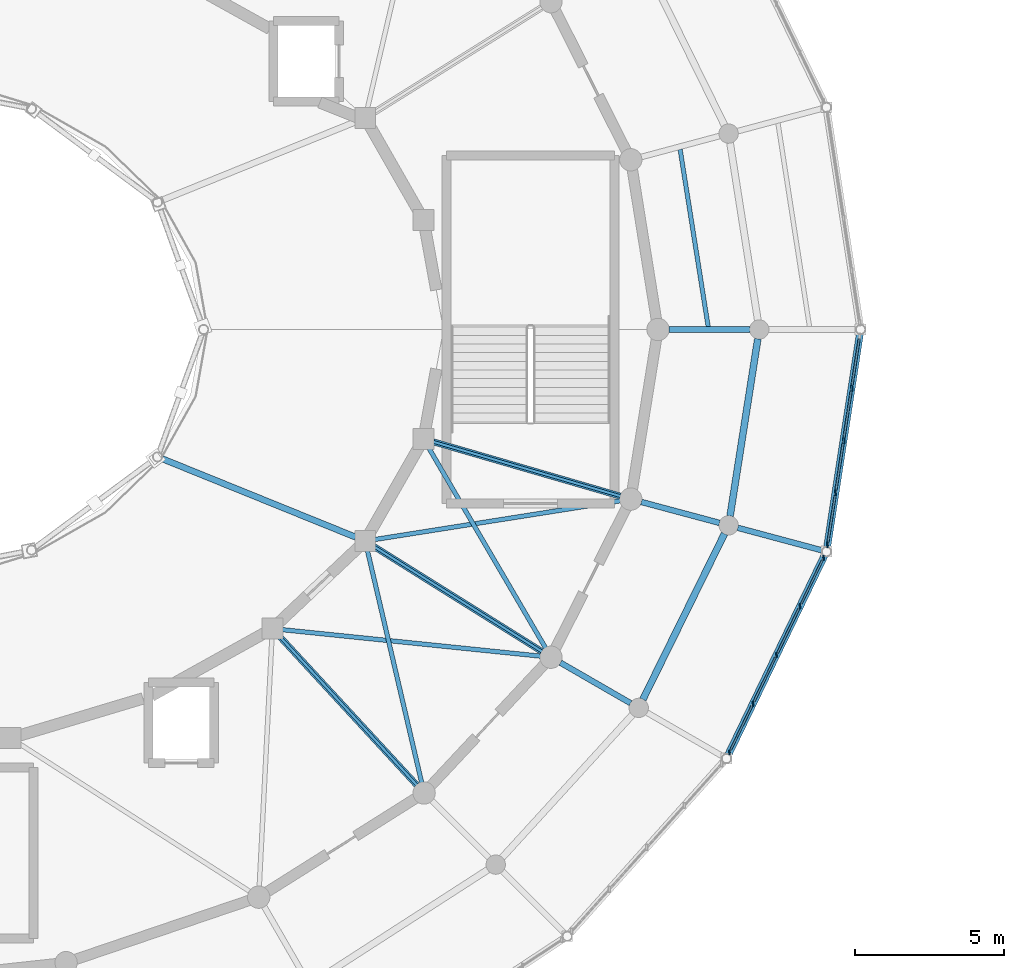
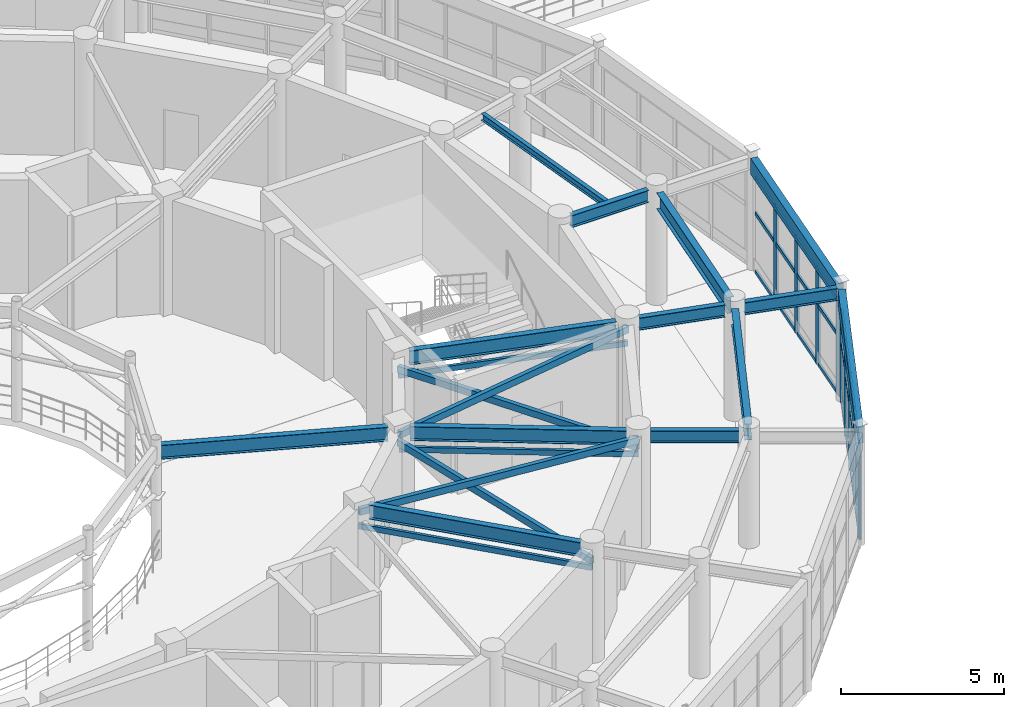
# One storey, part 27 of 60: 40 members, 13 beams, 2 elements without a shape of their own.
"""IFC4 building model written with IfcOpenShell, lengths in metres."""

from ifc_helpers import new_model, si_unit, direction, frame, origin, origin_2d, place, context, subcontext, project, spatial, rectangle, hollow_rectangle, i_section, extrude, material, material_profile, profile_set, type_object, element, aggregate, save


model = new_model("IFC4")

# Units and contexts
model_context = context("Model", 3, precision=1e-05, world=origin(), true_north=direction((0.0, 1.0)))
body_context = subcontext(model_context, "Body", "Model", "MODEL_VIEW")
ifc_project = project(units=[si_unit("LENGTHUNIT", "METRE"), si_unit("AREAUNIT", "SQUARE_METRE"), si_unit("VOLUMEUNIT", "CUBIC_METRE"), si_unit("PLANEANGLEUNIT", "RADIAN"), si_unit("MASSUNIT", "GRAM", prefix="KILO")], contexts=[model_context])

# Site, building, storey
site_placement = place(None, origin())
site = spatial("IfcSite", under=ifc_project, at=site_placement, CompositionType="ELEMENT")
building_placement = place(site_placement, origin())
building = spatial("IfcBuilding", under=site, at=building_placement, Name="Cinderbank Siding Concert Hall", CompositionType="ELEMENT")
storey_placement = place(building_placement, frame((0.0, 0.0, 14.699951171875)))
storey = spatial("IfcBuildingStorey", under=building, at=storey_placement, Name="L04", CompositionType="ELEMENT", Elevation=14.699951171875)

# Beams
ifc_material_1 = material(Name="Structural steel AS/NZS 3679.1 Grade 350 (340 MPa)", Category="steel")
ifc_material_profile_1 = material_profile(ifc_material_1, i_section(OverallWidth=0.19091796875, OverallDepth=0.46044921875, WebThickness=0.010009765625, FlangeThickness=0.01611328125, at=origin_2d()), Name="460UB82.1", Category="LoadBearing")
ifc_profile_set_1 = profile_set([ifc_material_profile_1], Name="Structural steel AS/NZS 3679.1 Grade 350 (340 MPa)")
beam_type_1 = type_object("IfcBeamType", Name="BM-UB460H 460UB82.1", PredefinedType="BEAM", material=ifc_profile_set_1)
beam_1_placement = place(storey_placement, frame((149.1669921875, 44.0, 4.03173828125), z_axis=(1.0, 0.0, 0.0), x_axis=(0.0, 1.0, 0.0)))
element("IfcBeam", 1, at=beam_1_placement, inside=storey, type_object=beam_type_1, Name="L04 Beam BM-UB460H #711", PredefinedType="BEAM", context=body_context, shape_type="SweptSolid", body=[
    extrude(i_section(OverallWidth=0.19091796875, OverallDepth=0.46044921875, WebThickness=0.010009765625, FlangeThickness=0.01611328125, at=origin_2d()), origin(), (0.0, 0.0, 1.0), 2.716064453125),
])
beam_2_placement = place(storey_placement, frame((145.52734375, 32.81640625, 4.03173828125), z_axis=(0.866032896488, -0.499987022033, 0.0), x_axis=(0.499987022033, 0.866032896488, 0.0)))
element("IfcBeam", 2, at=beam_2_placement, inside=storey, type_object=beam_type_1, Name="L04 Beam BM-UB460H #732", PredefinedType="BEAM", context=body_context, shape_type="SweptSolid", body=[
    extrude(i_section(OverallWidth=0.19091796875, OverallDepth=0.46044921875, WebThickness=0.010009765625, FlangeThickness=0.01611328125, at=origin_2d()), origin(), (0.0, 0.0, 1.0), 2.7158203125),
])
beam_3_placement = place(storey_placement, frame((148.2412109375, 38.2109375, 4.03173828125), z_axis=(0.965934410535, -0.258787006135, 0.0), x_axis=(0.258787006135, 0.965934410535, 0.0)))
element("IfcBeam", 3, at=beam_3_placement, inside=storey, type_object=beam_type_1, Name="L04 Beam BM-UB460H #733", PredefinedType="BEAM", context=body_context, shape_type="SweptSolid", body=[
    extrude(i_section(OverallWidth=0.19091796875, OverallDepth=0.46044921875, WebThickness=0.010009765625, FlangeThickness=0.01611328125, at=origin_2d()), origin(), (0.0, 0.0, 1.0), 2.716064453125),
])
beam_4_placement = place(storey_placement, frame((151.477294921875, 37.343994140625, 4.001953125), z_axis=(0.965904885504, -0.258897184534, 0.0), x_axis=(0.258897184534, 0.965904885504, 0.0)))
element("IfcBeam", 4, at=beam_4_placement, inside=storey, type_object=beam_type_1, Name="L04 Beam BM-UB460H #758", PredefinedType="BEAM", context=body_context, shape_type="SweptSolid", body=[
    extrude(i_section(OverallWidth=0.19091796875, OverallDepth=0.46044921875, WebThickness=0.010009765625, FlangeThickness=0.01611328125, at=origin_2d()), origin(), (0.0, 0.0, 1.0), 2.928955078125),
])
ifc_material_profile_2 = material_profile(ifc_material_1, i_section(OverallWidth=0.208984375, OverallDepth=0.5283203125, WebThickness=0.009521484375, FlangeThickness=0.01318359375, at=origin_2d()), Name="530UB82.0", Category="LoadBearing")
ifc_profile_set_2 = profile_set([ifc_material_profile_2], Name="Structural steel AS/NZS 3679.1 Grade 350 (340 MPa)")
beam_type_2 = type_object("IfcBeamType", Name="BM-UB530 530UB82.0", PredefinedType="BEAM", material=ifc_profile_set_2)
beam_5_placement = place(storey_placement, frame((132.145263671875, 39.667236328125, 3.988037109375), z_axis=(0.926787327391, -0.375586541008, 0.0), x_axis=(0.375586541008, 0.926787327391, 0.0)))
element("IfcBeam", 5, at=beam_5_placement, inside=storey, type_object=beam_type_2, Name="L04 Beam BM-UB530 #207", PredefinedType="BEAM", context=body_context, shape_type="SweptSolid", body=[
    extrude(i_section(OverallWidth=0.208984375, OverallDepth=0.5283203125, WebThickness=0.009521484375, FlangeThickness=0.01318359375, at=origin_2d()), origin(), (0.0, 0.0, 1.0), 7.026123046875),
])
ifc_material_profile_3 = material_profile(ifc_material_1, i_section(OverallWidth=0.208984375, OverallDepth=0.532958984375, WebThickness=0.01025390625, FlangeThickness=0.015625, at=origin_2d()), Name="530UB92.4", Category="LoadBearing")
ifc_profile_set_3 = profile_set([ifc_material_profile_3], Name="Structural steel AS/NZS 3679.1 Grade 350 (340 MPa)")
beam_type_3 = type_object("IfcBeamType", Name="BM-UB530H 530UB92.4", PredefinedType="BEAM", material=ifc_profile_set_3)
beam_6_placement = place(storey_placement, frame((136.09130859375, 33.707763671875, 3.985595703125), z_axis=(0.67829203735, -0.734792427879, 0.0), x_axis=(0.734792427879, 0.67829203735, 0.0)))
element("IfcBeam", 6, at=beam_6_placement, inside=storey, type_object=beam_type_3, Name="L04 Beam BM-UB530H #708", PredefinedType="BEAM", context=body_context, shape_type="SweptSolid", body=[
    extrude(i_section(OverallWidth=0.208984375, OverallDepth=0.532958984375, WebThickness=0.01025390625, FlangeThickness=0.015625, at=origin_2d()), origin(), (0.0, 0.0, 1.0), 6.797119140625),
])
beam_7_placement = place(storey_placement, frame((139.26416015625, 36.718505859375, 3.985595703125), z_axis=(0.84781868984, -0.530286214376, 0.0), x_axis=(0.530286214376, 0.84781868984, 0.0)))
element("IfcBeam", 7, at=beam_7_placement, inside=storey, type_object=beam_type_3, Name="L04 Beam BM-UB530H #709", PredefinedType="BEAM", context=body_context, shape_type="SweptSolid", body=[
    extrude(i_section(OverallWidth=0.208984375, OverallDepth=0.532958984375, WebThickness=0.01025390625, FlangeThickness=0.015625, at=origin_2d()), origin(), (0.0, 0.0, 1.0), 6.645263671875),
])
beam_8_placement = place(storey_placement, frame((141.260498046875, 40.2294921875, 3.985595703125), z_axis=(0.960350422934, -0.278795740946, 0.0), x_axis=(0.278795740946, 0.960350422934, 0.0)))
element("IfcBeam", 8, at=beam_8_placement, inside=storey, type_object=beam_type_3, Name="L04 Beam BM-UB530H #710", PredefinedType="BEAM", context=body_context, shape_type="SweptSolid", body=[
    extrude(i_section(OverallWidth=0.208984375, OverallDepth=0.532958984375, WebThickness=0.01025390625, FlangeThickness=0.015625, at=origin_2d()), origin(), (0.0, 0.0, 1.0), 6.53271484375),
])
ifc_material_profile_4 = material_profile(ifc_material_1, i_section(OverallWidth=0.22802734375, OverallDepth=0.60693359375, WebThickness=0.01123046875, FlangeThickness=0.017333984375, at=origin_2d()), Name="610UB113", Category="LoadBearing")
ifc_profile_set_4 = profile_set([ifc_material_profile_4], Name="Structural steel AS/NZS 3679.1 Grade 350 (340 MPa)")
beam_type_4 = type_object("IfcBeamType", Name="BM-UB610M 610UB113", PredefinedType="BEAM", material=ifc_profile_set_4)
beam_9_placement = place(storey_placement, frame((148.294189453125, 31.58447265625, 3.928466796875), z_axis=(0.441813843649, 0.897106753714, 0.0), x_axis=(-0.897106753714, 0.441813843649, 0.0)))
element("IfcBeam", 9, at=beam_9_placement, inside=storey, type_object=beam_type_4, Name="L04 Beam BM-UB610M #674", PredefinedType="BEAM", context=body_context, shape_type="SweptSolid", body=[
    extrude(i_section(OverallWidth=0.22802734375, OverallDepth=0.60693359375, WebThickness=0.01123046875, FlangeThickness=0.017333984375, at=origin_2d()), origin(), (0.0, 0.0, 1.0), 6.194580078125),
])
beam_10_placement = place(storey_placement, frame((151.219970703125, 37.7392578125, 3.928466796875), z_axis=(0.154637914322, 0.987971211855, 0.0), x_axis=(-0.987971211855, 0.154637914322, 0.0)))
element("IfcBeam", 10, at=beam_10_placement, inside=storey, type_object=beam_type_4, Name="L04 Beam BM-UB610M #675", PredefinedType="BEAM", context=body_context, shape_type="SweptSolid", body=[
    extrude(i_section(OverallWidth=0.22802734375, OverallDepth=0.60693359375, WebThickness=0.01123046875, FlangeThickness=0.017333984375, at=origin_2d()), origin(), (0.0, 0.0, 1.0), 6.02001953125),
])

# Curtain wall, members
ifc_material_2 = material(Name="Anodised aluminium alloy 6063-T6", Category="aluminium")
curtain_wall_type_1 = type_object("IfcCurtainWallType", Name="CW-11 Unitised Acoustic Curtain Wall 6600x3500", PredefinedType="NOTDEFINED", material=ifc_material_2)
curtain_wall_1_placement = place(storey_placement, origin())
curtain_wall_1 = element("IfcCurtainWall", 11, at=curtain_wall_1_placement, inside=storey, type_object=curtain_wall_type_1, Name="L04 Curtain Wall CW-11 #70", PredefinedType="NOTDEFINED")
ifc_material_profile_5 = material_profile(ifc_material_2, rectangle(XDim=0.06005859375, YDim=0.159912109375, at=origin_2d()), Name="ALU-MULL-60x160", Category="LoadBearing")
ifc_profile_set_5 = profile_set([ifc_material_profile_5], Name="Anodised aluminium alloy 6063-T6")
member_type_1 = type_object("IfcMemberType", Name="CW-ML1 Mullion 60x160", PredefinedType="MULLION", material=ifc_profile_set_5)
member_1_placement = place(storey_placement, frame((151.197265625, 29.80419921875, 0.0), z_axis=(0.0, 0.0, 1.0), x_axis=(1.0, 0.0, 0.0)))
member_1 = element("IfcMember", 12, at=member_1_placement, type_object=member_type_1, Name="CW-L04-070 Mullion 0", PredefinedType="MULLION", context=body_context, shape_type="SweptSolid", body=[
    extrude(rectangle(XDim=0.06005859375, YDim=0.159912109375, at=origin_2d()), origin(), (0.0, 0.0, 1.0), 3.616943359375),
])
member_2_placement = place(storey_placement, frame((151.987060546875, 31.438720703125, 0.0), z_axis=(0.0, 0.0, 1.0), x_axis=(1.0, 0.0, 0.0)))
member_2 = element("IfcMember", 13, at=member_2_placement, type_object=member_type_1, Name="CW-L04-070 Mullion 1", PredefinedType="MULLION", context=body_context, shape_type="SweptSolid", body=[
    extrude(rectangle(XDim=0.06005859375, YDim=0.159912109375, at=origin_2d()), origin(), (0.0, 0.0, 1.0), 3.616943359375),
])
member_3_placement = place(storey_placement, frame((152.77685546875, 33.072998046875, 0.0), z_axis=(0.0, 0.0, 1.0), x_axis=(1.0, 0.0, 0.0)))
member_3 = element("IfcMember", 14, at=member_3_placement, type_object=member_type_1, Name="CW-L04-070 Mullion 2", PredefinedType="MULLION", context=body_context, shape_type="SweptSolid", body=[
    extrude(rectangle(XDim=0.06005859375, YDim=0.159912109375, at=origin_2d()), origin(), (0.0, 0.0, 1.0), 3.616943359375),
])
member_4_placement = place(storey_placement, frame((153.566650390625, 34.707275390625, 0.0), z_axis=(0.0, 0.0, 1.0), x_axis=(1.0, 0.0, 0.0)))
member_4 = element("IfcMember", 15, at=member_4_placement, type_object=member_type_1, Name="CW-L04-070 Mullion 3", PredefinedType="MULLION", context=body_context, shape_type="SweptSolid", body=[
    extrude(rectangle(XDim=0.06005859375, YDim=0.159912109375, at=origin_2d()), origin(), (0.0, 0.0, 1.0), 3.616943359375),
])
member_5_placement = place(storey_placement, frame((154.3564453125, 36.341796875, 0.0), z_axis=(0.0, 0.0, 1.0), x_axis=(1.0, 0.0, 0.0)))
member_5 = element("IfcMember", 16, at=member_5_placement, type_object=member_type_1, Name="CW-L04-070 Mullion 4", PredefinedType="MULLION", context=body_context, shape_type="SweptSolid", body=[
    extrude(rectangle(XDim=0.06005859375, YDim=0.159912109375, at=origin_2d()), origin(), (0.0, 0.0, 1.0), 3.616943359375),
])

curtain_wall_type_2 = type_object("IfcCurtainWallType", Name="CW-12 Unitised Acoustic Curtain Wall 5800x3500", PredefinedType="NOTDEFINED", material=ifc_material_2)
curtain_wall_2_placement = place(storey_placement, origin())
curtain_wall_2 = element("IfcCurtainWall", 17, at=curtain_wall_2_placement, inside=storey, type_object=curtain_wall_type_2, Name="L04 Curtain Wall CW-12 #71", PredefinedType="NOTDEFINED")
ifc_material_profile_6 = material_profile(ifc_material_2, rectangle(XDim=0.06494140625, YDim=0.199951171875, at=origin_2d()), Name="ALU-MULL-65x200", Category="LoadBearing")
ifc_profile_set_6 = profile_set([ifc_material_profile_6], Name="Anodised aluminium alloy 6063-T6")
member_type_2 = type_object("IfcMemberType", Name="CW-ML2 Mullion 65x200", PredefinedType="MULLION", material=ifc_profile_set_6)
member_6_placement = place(storey_placement, frame((154.489501953125, 36.770263671875, 0.0), z_axis=(0.0, 0.0, 1.0), x_axis=(1.0, 0.0, 0.0)))
member_6 = element("IfcMember", 18, at=member_6_placement, type_object=member_type_2, Name="CW-L04-071 Mullion 0", PredefinedType="MULLION", context=body_context, shape_type="SweptSolid", body=[
    extrude(rectangle(XDim=0.06494140625, YDim=0.199951171875, at=origin_2d()), origin(), (0.0, 0.0, 1.0), 3.616943359375),
])
member_7_placement = place(storey_placement, frame((154.758544921875, 38.521728515625, 0.0), z_axis=(0.0, 0.0, 1.0), x_axis=(1.0, 0.0, 0.0)))
member_7 = element("IfcMember", 19, at=member_7_placement, type_object=member_type_2, Name="CW-L04-071 Mullion 1", PredefinedType="MULLION", context=body_context, shape_type="SweptSolid", body=[
    extrude(rectangle(XDim=0.06494140625, YDim=0.199951171875, at=origin_2d()), origin(), (0.0, 0.0, 1.0), 3.616943359375),
])
member_8_placement = place(storey_placement, frame((155.027587890625, 40.27294921875, 0.0), z_axis=(0.0, 0.0, 1.0), x_axis=(1.0, 0.0, 0.0)))
member_8 = element("IfcMember", 20, at=member_8_placement, type_object=member_type_2, Name="CW-L04-071 Mullion 2", PredefinedType="MULLION", context=body_context, shape_type="SweptSolid", body=[
    extrude(rectangle(XDim=0.06494140625, YDim=0.199951171875, at=origin_2d()), origin(), (0.0, 0.0, 1.0), 3.616943359375),
])
member_9_placement = place(storey_placement, frame((155.29638671875, 42.0244140625, 0.0), z_axis=(0.0, 0.0, 1.0), x_axis=(1.0, 0.0, 0.0)))
member_9 = element("IfcMember", 21, at=member_9_placement, type_object=member_type_2, Name="CW-L04-071 Mullion 3", PredefinedType="MULLION", context=body_context, shape_type="SweptSolid", body=[
    extrude(rectangle(XDim=0.06494140625, YDim=0.199951171875, at=origin_2d()), origin(), (0.0, 0.0, 1.0), 3.616943359375),
])

# Member
ifc_material_profile_7 = material_profile(ifc_material_2, rectangle(XDim=0.06005859375, YDim=0.1201171875, at=origin_2d()), Name="ALU-TRAN-60x120", Category="LoadBearing")
ifc_profile_set_7 = profile_set([ifc_material_profile_7], Name="Anodised aluminium alloy 6063-T6")
member_type_3 = type_object("IfcMemberType", Name="CW-TR1 Transom 60x120", PredefinedType="USERDEFINED", material=ifc_profile_set_7)
member_10_placement = place(storey_placement, frame((151.23681640625, 29.885986328125, 0.06005859375), z_axis=(0.435037415308, 0.900412376238, 0.0), x_axis=(-0.900412376238, 0.435037415308, 0.0)))
member_10 = element("IfcMember", 22, at=member_10_placement, type_object=member_type_3, Name="CW-L04-070 Transom 0-0", ObjectType="TRANSOM", PredefinedType="USERDEFINED", context=body_context, shape_type="SweptSolid", body=[
    extrude(rectangle(XDim=0.06005859375, YDim=0.1201171875, at=origin_2d()), origin(), (0.0, 0.0, 1.0), 1.633544921875),
])

member_11_placement = place(storey_placement, frame((151.23681640625, 29.885986328125, 2.242431640625), z_axis=(0.435037415308, 0.900412376238, 0.0), x_axis=(-0.900412376238, 0.435037415308, 0.0)))
member_11 = element("IfcMember", 23, at=member_11_placement, type_object=member_type_3, Name="CW-L04-070 Transom 0-1", ObjectType="TRANSOM", PredefinedType="USERDEFINED", context=body_context, shape_type="SweptSolid", body=[
    extrude(rectangle(XDim=0.06005859375, YDim=0.1201171875, at=origin_2d()), origin(), (0.0, 0.0, 1.0), 1.633544921875),
])

member_12_placement = place(storey_placement, frame((151.23681640625, 29.885986328125, 3.55712890625), z_axis=(0.435037415308, 0.900412376238, 0.0), x_axis=(-0.900412376238, 0.435037415308, 0.0)))
member_12 = element("IfcMember", 24, at=member_12_placement, type_object=member_type_3, Name="CW-L04-070 Transom 0-2", ObjectType="TRANSOM", PredefinedType="USERDEFINED", context=body_context, shape_type="SweptSolid", body=[
    extrude(rectangle(XDim=0.06005859375, YDim=0.1201171875, at=origin_2d()), origin(), (0.0, 0.0, 1.0), 1.633544921875),
])

member_13_placement = place(storey_placement, frame((152.026611328125, 31.5205078125, 0.06005859375), z_axis=(0.435095962233, 0.900384086737, 0.0), x_axis=(-0.900384086737, 0.435095962233, 0.0)))
member_13 = element("IfcMember", 25, at=member_13_placement, type_object=member_type_3, Name="CW-L04-070 Transom 1-0", ObjectType="TRANSOM", PredefinedType="USERDEFINED", context=body_context, shape_type="SweptSolid", body=[
    extrude(rectangle(XDim=0.06005859375, YDim=0.1201171875, at=origin_2d()), origin(), (0.0, 0.0, 1.0), 1.63330078125),
])

member_14_placement = place(storey_placement, frame((152.026611328125, 31.5205078125, 2.242431640625), z_axis=(0.435095962233, 0.900384086737, 0.0), x_axis=(-0.900384086737, 0.435095962233, 0.0)))
member_14 = element("IfcMember", 26, at=member_14_placement, type_object=member_type_3, Name="CW-L04-070 Transom 1-1", ObjectType="TRANSOM", PredefinedType="USERDEFINED", context=body_context, shape_type="SweptSolid", body=[
    extrude(rectangle(XDim=0.06005859375, YDim=0.1201171875, at=origin_2d()), origin(), (0.0, 0.0, 1.0), 1.63330078125),
])

member_15_placement = place(storey_placement, frame((152.026611328125, 31.5205078125, 3.55712890625), z_axis=(0.435095962233, 0.900384086737, 0.0), x_axis=(-0.900384086737, 0.435095962233, 0.0)))
member_15 = element("IfcMember", 27, at=member_15_placement, type_object=member_type_3, Name="CW-L04-070 Transom 1-2", ObjectType="TRANSOM", PredefinedType="USERDEFINED", context=body_context, shape_type="SweptSolid", body=[
    extrude(rectangle(XDim=0.06005859375, YDim=0.1201171875, at=origin_2d()), origin(), (0.0, 0.0, 1.0), 1.63330078125),
])

member_16_placement = place(storey_placement, frame((152.81640625, 33.15478515625, 0.06005859375), z_axis=(0.435095962233, 0.900384086737, 0.0), x_axis=(-0.900384086737, 0.435095962233, 0.0)))
member_16 = element("IfcMember", 28, at=member_16_placement, type_object=member_type_3, Name="CW-L04-070 Transom 2-0", ObjectType="TRANSOM", PredefinedType="USERDEFINED", context=body_context, shape_type="SweptSolid", body=[
    extrude(rectangle(XDim=0.06005859375, YDim=0.1201171875, at=origin_2d()), origin(), (0.0, 0.0, 1.0), 1.63330078125),
])

member_17_placement = place(storey_placement, frame((152.81640625, 33.15478515625, 2.242431640625), z_axis=(0.435095962233, 0.900384086737, 0.0), x_axis=(-0.900384086737, 0.435095962233, 0.0)))
member_17 = element("IfcMember", 29, at=member_17_placement, type_object=member_type_3, Name="CW-L04-070 Transom 2-1", ObjectType="TRANSOM", PredefinedType="USERDEFINED", context=body_context, shape_type="SweptSolid", body=[
    extrude(rectangle(XDim=0.06005859375, YDim=0.1201171875, at=origin_2d()), origin(), (0.0, 0.0, 1.0), 1.63330078125),
])

member_18_placement = place(storey_placement, frame((152.81640625, 33.15478515625, 3.55712890625), z_axis=(0.435095962233, 0.900384086737, 0.0), x_axis=(-0.900384086737, 0.435095962233, 0.0)))
member_18 = element("IfcMember", 30, at=member_18_placement, type_object=member_type_3, Name="CW-L04-070 Transom 2-2", ObjectType="TRANSOM", PredefinedType="USERDEFINED", context=body_context, shape_type="SweptSolid", body=[
    extrude(rectangle(XDim=0.06005859375, YDim=0.1201171875, at=origin_2d()), origin(), (0.0, 0.0, 1.0), 1.63330078125),
])

member_19_placement = place(storey_placement, frame((153.606201171875, 34.7890625, 0.06005859375), z_axis=(0.435037415308, 0.900412376238, 0.0), x_axis=(-0.900412376238, 0.435037415308, 0.0)))
member_19 = element("IfcMember", 31, at=member_19_placement, type_object=member_type_3, Name="CW-L04-070 Transom 3-0", ObjectType="TRANSOM", PredefinedType="USERDEFINED", context=body_context, shape_type="SweptSolid", body=[
    extrude(rectangle(XDim=0.06005859375, YDim=0.1201171875, at=origin_2d()), origin(), (0.0, 0.0, 1.0), 1.633544921875),
])

member_20_placement = place(storey_placement, frame((153.606201171875, 34.7890625, 2.242431640625), z_axis=(0.435037415308, 0.900412376238, 0.0), x_axis=(-0.900412376238, 0.435037415308, 0.0)))
member_20 = element("IfcMember", 32, at=member_20_placement, type_object=member_type_3, Name="CW-L04-070 Transom 3-1", ObjectType="TRANSOM", PredefinedType="USERDEFINED", context=body_context, shape_type="SweptSolid", body=[
    extrude(rectangle(XDim=0.06005859375, YDim=0.1201171875, at=origin_2d()), origin(), (0.0, 0.0, 1.0), 1.633544921875),
])

member_21_placement = place(storey_placement, frame((153.606201171875, 34.7890625, 3.55712890625), z_axis=(0.435037415308, 0.900412376238, 0.0), x_axis=(-0.900412376238, 0.435037415308, 0.0)))
member_21 = element("IfcMember", 33, at=member_21_placement, type_object=member_type_3, Name="CW-L04-070 Transom 3-2", ObjectType="TRANSOM", PredefinedType="USERDEFINED", context=body_context, shape_type="SweptSolid", body=[
    extrude(rectangle(XDim=0.06005859375, YDim=0.1201171875, at=origin_2d()), origin(), (0.0, 0.0, 1.0), 1.633544921875),
])

aggregate(curtain_wall_1, [member_1, member_2, member_3, member_4, member_5, member_10, member_11, member_12, member_13, member_14, member_15, member_16, member_17, member_18, member_19, member_20, member_21])

ifc_material_profile_8 = material_profile(ifc_material_2, rectangle(XDim=0.06494140625, YDim=0.14990234375, at=origin_2d()), Name="ALU-TRAN-65x150", Category="LoadBearing")
ifc_profile_set_8 = profile_set([ifc_material_profile_8], Name="Anodised aluminium alloy 6063-T6")
member_type_4 = type_object("IfcMemberType", Name="CW-TR2 Transom 65x150", PredefinedType="USERDEFINED", material=ifc_profile_set_8)
member_22_placement = place(storey_placement, frame((154.5029296875, 36.85791015625, 0.06005859375), z_axis=(0.151873110161, 0.988399999196, 0.0), x_axis=(-0.988399999196, 0.151873110161, 0.0)))
member_22 = element("IfcMember", 34, at=member_22_placement, type_object=member_type_4, Name="CW-L04-071 Transom 0-0", ObjectType="TRANSOM", PredefinedType="USERDEFINED", context=body_context, shape_type="SweptSolid", body=[
    extrude(rectangle(XDim=0.06494140625, YDim=0.14990234375, at=origin_2d()), origin(), (0.0, 0.0, 1.0), 1.5947265625),
])

member_23_placement = place(storey_placement, frame((154.5029296875, 36.85791015625, 2.242431640625), z_axis=(0.151873110161, 0.988399999196, 0.0), x_axis=(-0.988399999196, 0.151873110161, 0.0)))
member_23 = element("IfcMember", 35, at=member_23_placement, type_object=member_type_4, Name="CW-L04-071 Transom 0-1", ObjectType="TRANSOM", PredefinedType="USERDEFINED", context=body_context, shape_type="SweptSolid", body=[
    extrude(rectangle(XDim=0.06494140625, YDim=0.14990234375, at=origin_2d()), origin(), (0.0, 0.0, 1.0), 1.5947265625),
])

member_24_placement = place(storey_placement, frame((154.5029296875, 36.85791015625, 3.55712890625), z_axis=(0.151873110161, 0.988399999196, 0.0), x_axis=(-0.988399999196, 0.151873110161, 0.0)))
member_24 = element("IfcMember", 36, at=member_24_placement, type_object=member_type_4, Name="CW-L04-071 Transom 0-2", ObjectType="TRANSOM", PredefinedType="USERDEFINED", context=body_context, shape_type="SweptSolid", body=[
    extrude(rectangle(XDim=0.06494140625, YDim=0.14990234375, at=origin_2d()), origin(), (0.0, 0.0, 1.0), 1.5947265625),
])

member_25_placement = place(storey_placement, frame((154.77197265625, 38.609130859375, 0.06005859375), z_axis=(0.151873110161, 0.988399999196, 0.0), x_axis=(-0.988399999196, 0.151873110161, 0.0)))
member_25 = element("IfcMember", 37, at=member_25_placement, type_object=member_type_4, Name="CW-L04-071 Transom 1-0", ObjectType="TRANSOM", PredefinedType="USERDEFINED", context=body_context, shape_type="SweptSolid", body=[
    extrude(rectangle(XDim=0.06494140625, YDim=0.14990234375, at=origin_2d()), origin(), (0.0, 0.0, 1.0), 1.5947265625),
])

member_26_placement = place(storey_placement, frame((154.77197265625, 38.609130859375, 2.242431640625), z_axis=(0.151873110161, 0.988399999196, 0.0), x_axis=(-0.988399999196, 0.151873110161, 0.0)))
member_26 = element("IfcMember", 38, at=member_26_placement, type_object=member_type_4, Name="CW-L04-071 Transom 1-1", ObjectType="TRANSOM", PredefinedType="USERDEFINED", context=body_context, shape_type="SweptSolid", body=[
    extrude(rectangle(XDim=0.06494140625, YDim=0.14990234375, at=origin_2d()), origin(), (0.0, 0.0, 1.0), 1.5947265625),
])

member_27_placement = place(storey_placement, frame((154.77197265625, 38.609130859375, 3.55712890625), z_axis=(0.151873110161, 0.988399999196, 0.0), x_axis=(-0.988399999196, 0.151873110161, 0.0)))
member_27 = element("IfcMember", 39, at=member_27_placement, type_object=member_type_4, Name="CW-L04-071 Transom 1-2", ObjectType="TRANSOM", PredefinedType="USERDEFINED", context=body_context, shape_type="SweptSolid", body=[
    extrude(rectangle(XDim=0.06494140625, YDim=0.14990234375, at=origin_2d()), origin(), (0.0, 0.0, 1.0), 1.5947265625),
])

member_28_placement = place(storey_placement, frame((155.041015625, 40.360595703125, 0.06005859375), z_axis=(0.151873110161, 0.988399999196, 0.0), x_axis=(-0.988399999196, 0.151873110161, 0.0)))
member_28 = element("IfcMember", 40, at=member_28_placement, type_object=member_type_4, Name="CW-L04-071 Transom 2-0", ObjectType="TRANSOM", PredefinedType="USERDEFINED", context=body_context, shape_type="SweptSolid", body=[
    extrude(rectangle(XDim=0.06494140625, YDim=0.14990234375, at=origin_2d()), origin(), (0.0, 0.0, 1.0), 1.5947265625),
])

member_29_placement = place(storey_placement, frame((155.041015625, 40.360595703125, 2.242431640625), z_axis=(0.151873110161, 0.988399999196, 0.0), x_axis=(-0.988399999196, 0.151873110161, 0.0)))
member_29 = element("IfcMember", 41, at=member_29_placement, type_object=member_type_4, Name="CW-L04-071 Transom 2-1", ObjectType="TRANSOM", PredefinedType="USERDEFINED", context=body_context, shape_type="SweptSolid", body=[
    extrude(rectangle(XDim=0.06494140625, YDim=0.14990234375, at=origin_2d()), origin(), (0.0, 0.0, 1.0), 1.5947265625),
])

member_30_placement = place(storey_placement, frame((155.041015625, 40.360595703125, 3.55712890625), z_axis=(0.151873110161, 0.988399999196, 0.0), x_axis=(-0.988399999196, 0.151873110161, 0.0)))
member_30 = element("IfcMember", 42, at=member_30_placement, type_object=member_type_4, Name="CW-L04-071 Transom 2-2", ObjectType="TRANSOM", PredefinedType="USERDEFINED", context=body_context, shape_type="SweptSolid", body=[
    extrude(rectangle(XDim=0.06494140625, YDim=0.14990234375, at=origin_2d()), origin(), (0.0, 0.0, 1.0), 1.5947265625),
])

member_31_placement = place(storey_placement, frame((155.31005859375, 42.11181640625, 0.06005859375), z_axis=(0.151723538324, 0.988422970149, 0.0), x_axis=(-0.988422970149, 0.151723538324, 0.0)))
member_31 = element("IfcMember", 43, at=member_31_placement, type_object=member_type_4, Name="CW-L04-071 Transom 3-0", ObjectType="TRANSOM", PredefinedType="USERDEFINED", context=body_context, shape_type="SweptSolid", body=[
    extrude(rectangle(XDim=0.06494140625, YDim=0.14990234375, at=origin_2d()), origin(), (0.0, 0.0, 1.0), 1.5947265625),
])

member_32_placement = place(storey_placement, frame((155.31005859375, 42.11181640625, 2.242431640625), z_axis=(0.151723538324, 0.988422970149, 0.0), x_axis=(-0.988422970149, 0.151723538324, 0.0)))
member_32 = element("IfcMember", 44, at=member_32_placement, type_object=member_type_4, Name="CW-L04-071 Transom 3-1", ObjectType="TRANSOM", PredefinedType="USERDEFINED", context=body_context, shape_type="SweptSolid", body=[
    extrude(rectangle(XDim=0.06494140625, YDim=0.14990234375, at=origin_2d()), origin(), (0.0, 0.0, 1.0), 1.5947265625),
])

member_33_placement = place(storey_placement, frame((155.31005859375, 42.11181640625, 3.55712890625), z_axis=(0.151723538324, 0.988422970149, 0.0), x_axis=(-0.988422970149, 0.151723538324, 0.0)))
member_33 = element("IfcMember", 45, at=member_33_placement, type_object=member_type_4, Name="CW-L04-071 Transom 3-2", ObjectType="TRANSOM", PredefinedType="USERDEFINED", context=body_context, shape_type="SweptSolid", body=[
    extrude(rectangle(XDim=0.06494140625, YDim=0.14990234375, at=origin_2d()), origin(), (0.0, 0.0, 1.0), 1.5947265625),
])

aggregate(curtain_wall_2, [member_6, member_7, member_8, member_9, member_22, member_23, member_24, member_25, member_26, member_27, member_28, member_29, member_30, member_31, member_32, member_33])

# Beam
ifc_material_profile_9 = material_profile(ifc_material_1, i_section(OverallWidth=0.146484375, OverallDepth=0.256103515625, WebThickness=0.00634765625, FlangeThickness=0.010986328125, at=origin_2d()), Name="250UB37.3", Category="LoadBearing")
ifc_profile_set_9 = profile_set([ifc_material_profile_9], Name="Structural steel AS/NZS 3679.1 Grade 350 (340 MPa)")
beam_type_5 = type_object("IfcBeamType", Name="JS-UB250H 250UB37.3", PredefinedType="JOIST", material=ifc_profile_set_9)
beam_11_placement = place(storey_placement, frame((150.486083984375, 44.08837890625, 4.134033203125), z_axis=(-0.156365807053, 0.987699212506, 0.0), x_axis=(-0.987699212506, -0.156365807053, 0.0)))
element("IfcBeam", 46, at=beam_11_placement, inside=storey, type_object=beam_type_5, Name="L04 Beam JS-UB250H #713", PredefinedType="JOIST", context=body_context, shape_type="SweptSolid", body=[
    extrude(i_section(OverallWidth=0.146484375, OverallDepth=0.256103515625, WebThickness=0.00634765625, FlangeThickness=0.010986328125, at=origin_2d()), origin(), (0.0, 0.0, 1.0), 6.031494140625),
])

# Members
ifc_material_3 = material(Name="Structural steel hollow section AS/NZS 1163 Grade C350L0 (350 MPa)", Category="steel")
ifc_material_profile_10 = material_profile(ifc_material_3, hollow_rectangle(XDim=0.10009765625, YDim=0.199951171875, WallThickness=0.008056640625, at=origin_2d()), Name="200x100x8.0RHS", Category="LoadBearing")
ifc_profile_set_10 = profile_set([ifc_material_profile_10], Name="Structural steel hollow section AS/NZS 1163 Grade C350L0 (350 MPa)")
member_type_5 = type_object("IfcMemberType", Name="PR-RHS200 200x100x8.0RHS Roof Truss", PredefinedType="PURLIN", material=ifc_profile_set_10)
member_34_placement = place(storey_placement, frame((135.859375, 33.958984375, 3.340087890625), z_axis=(0.678276049894, -0.734807185689, 0.0), x_axis=(0.734807185689, 0.678276049894, 0.0)))
element("IfcMember", 47, at=member_34_placement, inside=storey, type_object=member_type_5, Name="L04 Roof Truss Member PR-RHS200 #2295", PredefinedType="PURLIN", context=body_context, shape_type="SweptSolid", body=[
    extrude(hollow_rectangle(XDim=0.10009765625, YDim=0.199951171875, WallThickness=0.008056640625, at=origin_2d()), origin(), (0.0, 0.0, 1.0), 7.505859375),
])
member_35_placement = place(storey_placement, frame((138.97412109375, 36.89990234375, 3.340087890625), z_axis=(0.847826684568, -0.530273432235, 0.0), x_axis=(0.530273432235, 0.847826684568, 0.0)))
element("IfcMember", 48, at=member_35_placement, inside=storey, type_object=member_type_5, Name="L04 Roof Truss Member PR-RHS200 #2298", PredefinedType="PURLIN", context=body_context, shape_type="SweptSolid", body=[
    extrude(hollow_rectangle(XDim=0.10009765625, YDim=0.199951171875, WallThickness=0.008056640625, at=origin_2d()), origin(), (0.0, 0.0, 1.0), 7.3544921875),
])
member_36_placement = place(storey_placement, frame((140.93212890625, 40.32470703125, 3.340087890625), z_axis=(0.960356417746, -0.278775090161, 0.0), x_axis=(0.278775090161, 0.960356417746, 0.0)))
element("IfcMember", 49, at=member_36_placement, inside=storey, type_object=member_type_5, Name="L04 Roof Truss Member PR-RHS200 #2299", PredefinedType="PURLIN", context=body_context, shape_type="SweptSolid", body=[
    extrude(hollow_rectangle(XDim=0.10009765625, YDim=0.199951171875, WallThickness=0.008056640625, at=origin_2d()), origin(), (0.0, 0.0, 1.0), 7.24169921875),
])

# Beams
ifc_material_4 = material(Name="Spotted gum glulam timber GL18 (42 MPa)", Category="wood")
ifc_material_profile_11 = material_profile(ifc_material_4, rectangle(XDim=0.239990234375, YDim=0.60009765625, at=origin_2d()), Name="GL18-240x600", Category="LoadBearing")
ifc_profile_set_11 = profile_set([ifc_material_profile_11], Name="Spotted gum glulam timber GL18 (42 MPa)")
beam_type_6 = type_object("IfcBeamType", Name="SP-GL600 GL18-240x600", PredefinedType="SPANDREL", material=ifc_profile_set_11)
beam_12_placement = place(storey_placement, frame((151.16552734375, 29.738525390625, 3.93212890625), z_axis=(0.435095625105, 0.900384249648, 0.0), x_axis=(-0.900384249648, 0.435095625105, 0.0)))
element("IfcBeam", 50, at=beam_12_placement, inside=storey, type_object=beam_type_6, Name="L04 Beam SP-GL600 #698", PredefinedType="SPANDREL", context=body_context, shape_type="SweptSolid", body=[
    extrude(rectangle(XDim=0.239990234375, YDim=0.60009765625, at=origin_2d()), origin(), (0.0, 0.0, 1.0), 7.40673828125),
])
beam_13_placement = place(storey_placement, frame((154.478515625, 36.6982421875, 3.93212890625), z_axis=(0.151813701486, 0.988409125839, 0.0), x_axis=(-0.988409125839, 0.151813701486, 0.0)))
element("IfcBeam", 51, at=beam_13_placement, inside=storey, type_object=beam_type_6, Name="L04 Beam SP-GL600 #699", PredefinedType="SPANDREL", context=body_context, shape_type="SweptSolid", body=[
    extrude(rectangle(XDim=0.239990234375, YDim=0.60009765625, at=origin_2d()), origin(), (0.0, 0.0, 1.0), 7.2333984375),
])

# Members
ifc_material_profile_12 = material_profile(ifc_material_3, hollow_rectangle(XDim=0.14990234375, YDim=0.25, WallThickness=0.009033203125, at=origin_2d()), Name="250x150x9.0RHS", Category="LoadBearing")
ifc_profile_set_12 = profile_set([ifc_material_profile_12], Name="Structural steel hollow section AS/NZS 1163 Grade C350L0 (350 MPa)")
member_type_6 = type_object("IfcMemberType", Name="TR-RHS250 250x150x9.0RHS Roof Truss", PredefinedType="RAFTER", material=ifc_profile_set_12)
member_37_placement = place(storey_placement, frame((135.859375, 33.958984375, 3.880126953125), z_axis=(0.994781438611, -0.102028865499, 0.0), x_axis=(0.102028865499, 0.994781438611, 0.0)))
element("IfcMember", 52, at=member_37_placement, inside=storey, type_object=member_type_6, Name="L04 Roof Truss Member TR-RHS250 #2293", PredefinedType="RAFTER", context=body_context, shape_type="SweptSolid", body=[
    extrude(hollow_rectangle(XDim=0.14990234375, YDim=0.25, WallThickness=0.009033203125, at=origin_2d()), origin(), (0.0, 0.0, 1.0), 9.399169921875),
])
member_38_placement = place(storey_placement, frame((138.97412109375, 36.89990234375, 3.60009765625), z_axis=(0.227577092084, -0.973760066525, 0.0), x_axis=(0.973760066525, 0.227577092084, 0.0)))
element("IfcMember", 53, at=member_38_placement, inside=storey, type_object=member_type_6, Name="L04 Roof Truss Member TR-RHS250 #2294", PredefinedType="RAFTER", context=body_context, shape_type="SweptSolid", body=[
    extrude(hollow_rectangle(XDim=0.14990234375, YDim=0.25, WallThickness=0.009033203125, at=origin_2d()), origin(), (0.0, 0.0, 1.0), 8.68408203125),
])
member_39_placement = place(storey_placement, frame((138.97412109375, 36.89990234375, 3.880126953125), z_axis=(0.987784236991, 0.155827793262, 0.0), x_axis=(-0.155827793262, 0.987784236991, 0.0)))
element("IfcMember", 54, at=member_39_placement, inside=storey, type_object=member_type_6, Name="L04 Roof Truss Member TR-RHS250 #2296", PredefinedType="RAFTER", context=body_context, shape_type="SweptSolid", body=[
    extrude(hollow_rectangle(XDim=0.14990234375, YDim=0.25, WallThickness=0.009033203125, at=origin_2d()), origin(), (0.0, 0.0, 1.0), 9.022705078125),
])
member_40_placement = place(storey_placement, frame((140.93212890625, 40.32470703125, 3.60009765625), z_axis=(0.50427542144, -0.863542876372, 0.0), x_axis=(0.863542876372, 0.50427542144, 0.0)))
element("IfcMember", 55, at=member_40_placement, inside=storey, type_object=member_type_6, Name="L04 Roof Truss Member TR-RHS250 #2297", PredefinedType="RAFTER", context=body_context, shape_type="SweptSolid", body=[
    extrude(hollow_rectangle(XDim=0.14990234375, YDim=0.25, WallThickness=0.009033203125, at=origin_2d()), origin(), (0.0, 0.0, 1.0), 8.482177734375),
])

save(model, "model.ifc")
